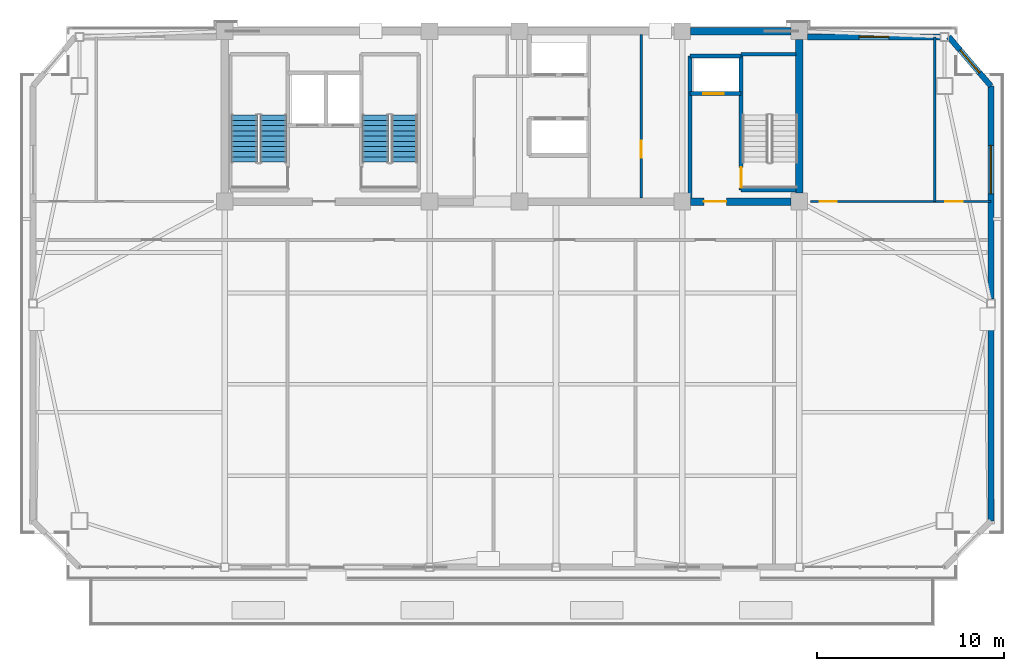
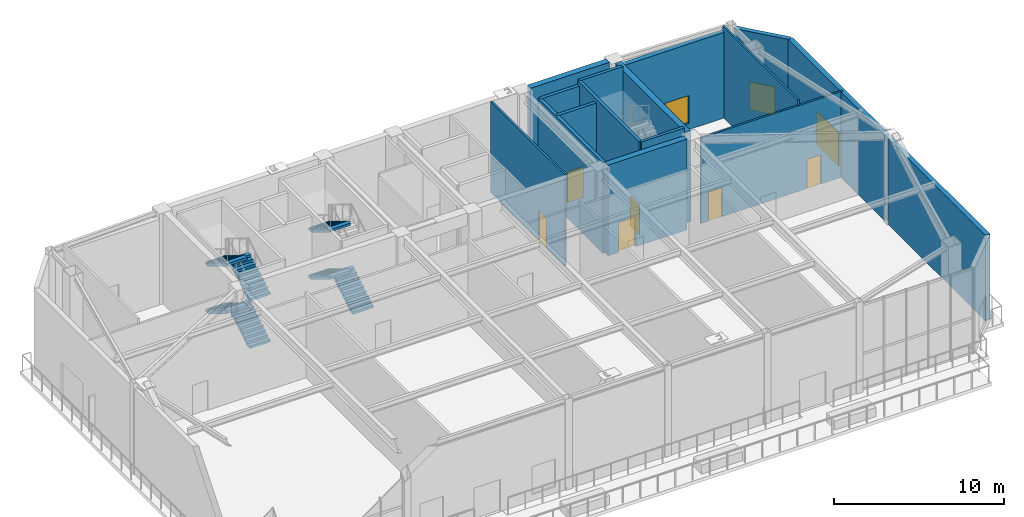
# One storey, part 10 of 15: 16 walls, 7 stair flights, 6 doors, 3 windows, 9 openings, 2 elements without a shape of their own.
"""IFC4 building model written with IfcOpenShell, lengths in metres."""

from ifc_helpers import new_model, si_unit, direction, frame, frame_2d, origin, place, context, subcontext, project, spatial, polyline, rectangle, outline, extrude, source, transform, mapped, material, layer, layer_set, type_object, element, fill, aggregate, save


model = new_model("IFC4")

# Units and contexts
model_context = context("Model", 3, precision=1e-05, world=origin(), true_north=direction((0.0, 1.0)))
body_context = subcontext(model_context, "Body", "Model", "MODEL_VIEW")
ifc_project = project(units=[si_unit("LENGTHUNIT", "METRE"), si_unit("AREAUNIT", "SQUARE_METRE"), si_unit("VOLUMEUNIT", "CUBIC_METRE"), si_unit("PLANEANGLEUNIT", "RADIAN"), si_unit("MASSUNIT", "GRAM", prefix="KILO")], contexts=[model_context])

# Site, building, storey
site_placement = place(None, origin())
site = spatial("IfcSite", under=ifc_project, at=site_placement, CompositionType="ELEMENT")
building_placement = place(site_placement, origin())
building = spatial("IfcBuilding", under=site, at=building_placement, Name="Giltprow Tower", CompositionType="ELEMENT")
storey_placement = place(building_placement, frame((0.0, 0.0, 279.10009765625)))
storey = spatial("IfcBuildingStorey", under=building, at=storey_placement, Name="L72", CompositionType="ELEMENT", Elevation=279.10009765625)

# Wall, opening, window
ifc_material_1 = material(Name="Precast concrete C40", Category="concrete")
ifc_layer_1 = layer(ifc_material_1, 0.300048828125, Name="Precast concrete C40")
ifc_layer_set_1 = layer_set([ifc_layer_1], Name="Precast concrete C40")
wall_type_1 = type_object("IfcWallType", Name="EW-NOTCH-CHAMFER-300", PredefinedType="SOLIDWALL", material=ifc_layer_set_1)
wall_1_placement = place(storey_placement, frame((60.791015625, 43.6220703125, 0.0), z_axis=(0.0, 0.0, 1.0), x_axis=(-0.650698416405, 0.759336269968, 0.0)))
wall_1 = element("IfcWall", 1, at=wall_1_placement, inside=storey, type_object=wall_type_1, Name="L72 Corner Notch Wall NE", PredefinedType="SOLIDWALL", context=body_context, shape_type="SweptSolid", body=[
    extrude(rectangle(XDim=3.4609375, YDim=0.300048828125, at=frame_2d((1.73046875, 0.0))), origin(), (0.0, 0.0, 1.0), 6.14990234375),
])
opening_1_placement = place(wall_1_placement, frame((0.929931640625, 0.0, 0.449951171875)))
opening_1 = element("IfcOpeningElement", 2, at=opening_1_placement, cuts=wall_1, Name="Opening WN17", PredefinedType="OPENING", context=body_context, shape_type="SweptSolid", body=[
    extrude(rectangle(XDim=1.60009765625, YDim=2.0, at=frame_2d((0.800048828125, 1.0))), frame((0.0, 0.159912109375, 0.0), z_axis=(0.0, -1.0, 0.0), x_axis=(1.0, 0.0, 0.0)), (0.0, 0.0, 1.0), 0.320068359375),
])
ifc_material_2 = material(Name="Insulated glass", Category="glass")
window_type_1 = type_object("IfcWindowType", Name="WN-COR-1600x2000", PartitioningType="SINGLE_PANEL", PredefinedType="WINDOW", material=ifc_material_2)
shared_shape_1 = source(origin(), body_context, "Body", "SweptSolid", [
    extrude(rectangle(XDim=1.60009765625, YDim=2.0, at=frame_2d((0.800048828125, 1.0))), frame((0.0, 0.030029296875, 0.0), z_axis=(0.0, -1.0, 0.0), x_axis=(1.0, 0.0, 0.0)), (0.0, 0.0, 1.0), 0.06005859375),
])
window_1_placement = place(opening_1_placement, origin())
window_1 = element("IfcWindow", 3, at=window_1_placement, inside=storey, type_object=window_type_1, Name="L72 Corner Notch Window NE", OverallHeight=2.0, OverallWidth=1.60009765625, PartitioningType="SINGLE_PANEL", PredefinedType="WINDOW", context=body_context, shape_type="MappedRepresentation", body=[
    mapped(shared_shape_1, transform((0.0, 0.0, 0.0), x_axis=(1.0, 0.0, 0.0), y_axis=(0.0, 1.0, 0.0), z_axis=(0.0, 0.0, 1.0), scale=1.0)),
])
fill(opening_1, window_1)

# Wall
ifc_layer_2 = layer(ifc_material_1, 0.320068359375, Name="Precast concrete C40")
ifc_layer_set_2 = layer_set([ifc_layer_2], Name="Precast concrete C40")
wall_type_2 = type_object("IfcWallType", Name="EW-TOW-STONE-320", PredefinedType="SOLIDWALL", material=ifc_layer_set_2)
wall_2_placement = place(storey_placement, frame((60.791015625, 20.385009765625, 0.0), z_axis=(0.0, 0.0, 1.0), x_axis=(0.0, 1.0, 0.0)))
element("IfcWall", 4, at=wall_2_placement, inside=storey, type_object=wall_type_2, Name="L72 E Wing Masonry Wall 1", PredefinedType="SOLIDWALL", context=body_context, shape_type="SweptSolid", body=[
    extrude(rectangle(XDim=11.39404296875, YDim=0.320068359375, at=frame_2d((5.697021484375, 0.0))), origin(), (0.0, 0.0, 1.0), 6.14990234375),
])

# Wall, opening, window
wall_3_placement = place(storey_placement, frame((60.791015625, 32.22900390625, 0.0), z_axis=(0.0, 0.0, 1.0), x_axis=(0.0, 1.0, 0.0)))
wall_3 = element("IfcWall", 5, at=wall_3_placement, inside=storey, type_object=wall_type_2, Name="L72 E Wing Masonry Wall 2", PredefinedType="SOLIDWALL", context=body_context, shape_type="SweptSolid", body=[
    extrude(rectangle(XDim=11.39306640625, YDim=0.320068359375, at=frame_2d((5.696533203125, 0.0))), origin(), (0.0, 0.0, 1.0), 6.14990234375),
])
opening_2_placement = place(wall_3_placement, frame((5.6259765625, 0.0, 0.449951171875)))
opening_2 = element("IfcOpeningElement", 6, at=opening_2_placement, cuts=wall_3, Name="Opening WN19", PredefinedType="OPENING", context=body_context, shape_type="SweptSolid", body=[
    extrude(rectangle(XDim=2.60009765625, YDim=2.39990234375, at=frame_2d((1.300048828125, 1.199951171875))), frame((0.0, 0.169921875, 0.0), z_axis=(0.0, -1.0, 0.0), x_axis=(1.0, 0.0, 0.0)), (0.0, 0.0, 1.0), 0.340087890625),
])
window_type_2 = type_object("IfcWindowType", Name="WN-OBS-2600x2400", PartitioningType="DOUBLE_PANEL_VERTICAL", PredefinedType="WINDOW", material=ifc_material_2)
shared_shape_2 = source(origin(), body_context, "Body", "SweptSolid", [
    extrude(rectangle(XDim=2.60009765625, YDim=2.39990234375, at=frame_2d((1.300048828125, 1.199951171875))), frame((0.0, 0.030029296875, 0.0), z_axis=(0.0, -1.0, 0.0), x_axis=(1.0, 0.0, 0.0)), (0.0, 0.0, 1.0), 0.06005859375),
])
window_2_placement = place(opening_2_placement, origin())
window_2 = element("IfcWindow", 7, at=window_2_placement, inside=storey, type_object=window_type_2, Name="L72 E Wing Window 2-1", OverallHeight=2.39990234375, OverallWidth=2.60009765625, PartitioningType="SINGLE_PANEL", PredefinedType="WINDOW", context=body_context, shape_type="MappedRepresentation", body=[
    mapped(shared_shape_2, transform((0.0, 0.0, 0.0), x_axis=(1.0, 0.0, 0.0), y_axis=(0.0, 1.0, 0.0), z_axis=(0.0, 0.0, 1.0), scale=1.0)),
])
fill(opening_2, window_2)

wall_4_placement = place(storey_placement, frame((51.0, 46.25, 0.0), z_axis=(0.0, 0.0, 1.0), x_axis=(1.0, 0.0, 0.0)))
wall_4 = element("IfcWall", 8, at=wall_4_placement, inside=storey, type_object=wall_type_2, Name="L72 North-East Wing Wall", PredefinedType="SOLIDWALL", context=body_context, shape_type="SweptSolid", body=[
    extrude(rectangle(XDim=7.089111328125, YDim=0.320068359375, at=frame_2d((3.54443359375, 0.0))), origin(), (0.0, 0.0, 1.0), 6.14990234375),
])
opening_3_placement = place(wall_4_placement, frame((2.743896484375, 0.0, 0.449951171875)))
opening_3 = element("IfcOpeningElement", 9, at=opening_3_placement, cuts=wall_4, Name="Opening WN17", PredefinedType="OPENING", context=body_context, shape_type="SweptSolid", body=[
    extrude(rectangle(XDim=1.60009765625, YDim=2.0, at=frame_2d((0.800048828125, 1.0))), frame((0.0, 0.169921875, 0.0), z_axis=(0.0, -1.0, 0.0), x_axis=(1.0, 0.0, 0.0)), (0.0, 0.0, 1.0), 0.340087890625),
])
window_3_placement = place(opening_3_placement, origin())
window_3 = element("IfcWindow", 10, at=window_3_placement, inside=storey, type_object=window_type_1, Name="L72 North-East Window", OverallHeight=2.0, OverallWidth=1.60009765625, PartitioningType="SINGLE_PANEL", PredefinedType="WINDOW", context=body_context, shape_type="MappedRepresentation", body=[
    mapped(shared_shape_1, transform((0.0, 0.0, 0.0), x_axis=(1.0, 0.0, 0.0), y_axis=(0.0, 1.0, 0.0), z_axis=(0.0, 0.0, 1.0), scale=1.0)),
])
fill(opening_3, window_3)

# Wall, opening, door
ifc_material_3 = material(Name="Concrete C40", Category="concrete")
ifc_layer_3 = layer(ifc_material_3, 0.219970703125, Name="Concrete C40")
ifc_layer_set_3 = layer_set([ifc_layer_3], Name="Concrete C40")
wall_type_3 = type_object("IfcWallType", Name="IW-SHAFT-220", PredefinedType="SOLIDWALL", material=ifc_layer_set_3)
wall_5_placement = place(storey_placement, frame((44.719970703125, 43.219970703125, 0.0), z_axis=(0.0, 0.0, 1.0), x_axis=(1.0, 0.0, 0.0)))
wall_5 = element("IfcWall", 11, at=wall_5_placement, inside=storey, type_object=wall_type_3, Name="L72 FFL2 Front Shaft Wall", PredefinedType="SOLIDWALL", context=body_context, shape_type="SweptSolid", body=[
    extrude(rectangle(XDim=2.719970703125, YDim=0.219970703125, at=frame_2d((1.35986328125, 0.0))), origin(), (0.0, 0.0, 1.0), 6.52001953125),
])
opening_4_placement = place(wall_5_placement, frame((0.699951171875, 0.0, 0.0)))
opening_4 = element("IfcOpeningElement", 12, at=opening_4_placement, cuts=wall_5, Name="Opening LD-11", PredefinedType="OPENING", context=body_context, shape_type="SweptSolid", body=[
    extrude(rectangle(XDim=1.10009765625, YDim=2.199951171875, at=frame_2d((0.550048828125, 1.10009765625))), frame((0.0, 0.119873046875, 0.0), z_axis=(0.0, -1.0, 0.0), x_axis=(1.0, 0.0, 0.0)), (0.0, 0.0, 1.0), 0.239990234375),
])
ifc_material_4 = material(Name="Stainless steel", Category="steel")
door_type_1 = type_object("IfcDoorType", Name="DR-LIFT-LD1100", OperationType="SLIDING_TO_LEFT", PredefinedType="DOOR", material=ifc_material_4)
shared_shape_3 = source(origin(), body_context, "Body", "SweptSolid", [
    extrude(rectangle(XDim=1.10009765625, YDim=2.199951171875, at=frame_2d((0.550048828125, 1.10009765625))), frame((0.0, 0.02490234375, 0.0), z_axis=(0.0, -1.0, 0.0), x_axis=(1.0, 0.0, 0.0)), (0.0, 0.0, 1.0), 0.050048828125),
])
door_1_placement = place(opening_4_placement, origin())
door_1 = element("IfcDoor", 13, at=door_1_placement, inside=storey, type_object=door_type_1, Name="L72 FFL2 Landing Door", OperationType="SLIDING_TO_LEFT", OverallHeight=2.199951171875, OverallWidth=1.10009765625, PredefinedType="DOOR", context=body_context, shape_type="MappedRepresentation", body=[
    mapped(shared_shape_3, transform((0.0, 0.0, 0.0), x_axis=(1.0, 0.0, 0.0), y_axis=(0.0, 1.0, 0.0), z_axis=(0.0, 0.0, 1.0), scale=1.0)),
])
fill(opening_4, door_1)

# Walls
wall_6_placement = place(storey_placement, frame((44.719970703125, 45.219970703125, 0.0), z_axis=(0.0, 0.0, 1.0), x_axis=(1.0, 0.0, 0.0)))
element("IfcWall", 14, at=wall_6_placement, inside=storey, type_object=wall_type_3, Name="L72 FFL2 Back Shaft Wall", PredefinedType="SOLIDWALL", context=body_context, shape_type="SweptSolid", body=[
    extrude(rectangle(XDim=2.719970703125, YDim=0.219970703125, at=frame_2d((1.35986328125, 0.0))), origin(), (0.0, 0.0, 1.0), 6.52001953125),
])
wall_7_placement = place(storey_placement, frame((44.719970703125, 37.6298828125, 0.0), z_axis=(0.0, 0.0, 1.0), x_axis=(0.0, 1.0, 0.0)))
element("IfcWall", 15, at=wall_7_placement, inside=storey, type_object=wall_type_3, Name="L72 East Firefighting Lobby West Wall", PredefinedType="SOLIDWALL", context=body_context, shape_type="SweptSolid", body=[
    extrude(rectangle(XDim=7.590087890625, YDim=0.219970703125, at=frame_2d((3.794921875, 0.0))), origin(), (0.0, 0.0, 1.0), 6.52001953125),
])

# Wall, opening, door
ifc_layer_4 = layer(ifc_material_3, 0.199951171875, Name="Concrete C40")
ifc_layer_set_4 = layer_set([ifc_layer_4], Name="Concrete C40")
wall_type_4 = type_object("IfcWallType", Name="IW-STAIR-200", PredefinedType="SOLIDWALL", material=ifc_layer_set_4)
wall_8_placement = place(storey_placement, frame((47.43994140625, 38.070068359375, 0.0), z_axis=(0.0, 0.0, 1.0), x_axis=(0.0, 1.0, 0.0)))
wall_8 = element("IfcWall", 16, at=wall_8_placement, inside=storey, type_object=wall_type_4, Name="L72 Stair ST-3 West Bearing Wall", PredefinedType="SOLIDWALL", context=body_context, shape_type="SweptSolid", body=[
    extrude(rectangle(XDim=7.25, YDim=0.199951171875, at=frame_2d((3.625, 0.0))), origin(), (0.0, 0.0, 1.0), 6.7998046875),
])
opening_5_placement = place(wall_8_placement, frame((0.110107421875, 0.0, 0.0)))
opening_5 = element("IfcOpeningElement", 17, at=opening_5_placement, cuts=wall_8, Name="Opening ID33", PredefinedType="OPENING", context=body_context, shape_type="SweptSolid", body=[
    extrude(rectangle(XDim=1.10009765625, YDim=2.14990234375, at=frame_2d((0.550048828125, 1.074951171875))), frame((0.0, 0.10986328125, 0.0), z_axis=(0.0, -1.0, 0.0), x_axis=(1.0, 0.0, 0.0)), (0.0, 0.0, 1.0), 0.219970703125),
])
ifc_material_5 = material(Name="Steel fire leaf", Category="steel")
door_type_2 = type_object("IfcDoorType", Name="DR-STAIR-1100", OperationType="SINGLE_SWING_LEFT", PredefinedType="DOOR", material=ifc_material_5)
shared_shape_4 = source(origin(), body_context, "Body", "SweptSolid", [
    extrude(rectangle(XDim=1.10009765625, YDim=2.14990234375, at=frame_2d((0.550048828125, 1.074951171875))), frame((0.0, 0.02490234375, 0.0), z_axis=(0.0, -1.0, 0.0), x_axis=(1.0, 0.0, 0.0)), (0.0, 0.0, 1.0), 0.050048828125),
])
door_2_placement = place(opening_5_placement, origin())
door_2 = element("IfcDoor", 18, at=door_2_placement, inside=storey, type_object=door_type_2, Name="L72 Stair ST-3 Fire Door", OperationType="SINGLE_SWING_RIGHT", OverallHeight=2.14990234375, OverallWidth=1.10009765625, PredefinedType="DOOR", context=body_context, shape_type="MappedRepresentation", body=[
    mapped(shared_shape_4, transform((0.0, 0.0, 0.0), x_axis=(1.0, 0.0, 0.0), y_axis=(0.0, 1.0, 0.0), z_axis=(0.0, 0.0, 1.0), scale=1.0)),
])
fill(opening_5, door_2)

# Walls
for number, where, z_axis, x_axis, name in (
    (19, (47.43994140625, 45.320068359375, 0.0), (0.0, 0.0, 1.0), (1.0, 0.0, 0.0), "L72 Stair ST-3 North Bearing Wall"),
    (20, (47.43994140625, 38.070068359375, 0.0), (0.0, 0.0, 1.0), (1.0, 0.0, 0.0), "L72 Stair ST-3 South Bearing Wall"),
):
    element("IfcWall", number, at=place(storey_placement, frame(where, z_axis=z_axis, x_axis=x_axis)), inside=storey, type_object=wall_type_4, Name=name, PredefinedType="SOLIDWALL", context=body_context, shape_type="SweptSolid", body=[
        extrude(rectangle(XDim=2.93017578125, YDim=0.199951171875, at=frame_2d((1.465087890625, 0.0))), origin(), (0.0, 0.0, 1.0), 6.7998046875),
    ])

# Wall, opening, door
ifc_material_6 = material(Name="Concrete C30", Category="concrete")
ifc_layer_5 = layer(ifc_material_6, 0.1298828125, Name="Concrete C30")
ifc_layer_set_5 = layer_set([ifc_layer_5], Name="Concrete C30")
wall_type_5 = type_object("IfcWallType", Name="IW-WET-130", PredefinedType="PARTITIONING", material=ifc_layer_set_5)
wall_9_placement = place(storey_placement, frame((42.10009765625, 37.6298828125, 0.0), z_axis=(0.0, 0.0, 1.0), x_axis=(0.0, 1.0, 0.0)))
wall_9 = element("IfcWall", 21, at=wall_9_placement, inside=storey, type_object=wall_type_5, Name="L72 East Core Vertical Divider", PredefinedType="PARTITIONING", context=body_context, shape_type="SweptSolid", body=[
    extrude(rectangle(XDim=8.740234375, YDim=0.1298828125, at=frame_2d((4.3701171875, 0.0))), origin(), (0.0, 0.0, 1.0), 6.52001953125),
])
opening_6_placement = place(wall_9_placement, frame((2.169921875, 0.0, 0.0)))
opening_6 = element("IfcOpeningElement", 22, at=opening_6_placement, cuts=wall_9, Name="Opening ID35", PredefinedType="OPENING", context=body_context, shape_type="SweptSolid", body=[
    extrude(rectangle(XDim=0.89990234375, YDim=2.10009765625, at=frame_2d((0.449951171875, 1.050048828125))), frame((0.0, 0.074951171875, 0.0), z_axis=(0.0, -1.0, 0.0), x_axis=(1.0, 0.0, 0.0)), (0.0, 0.0, 1.0), 0.14990234375),
])
door_type_3 = type_object("IfcDoorType", Name="DR-SHAFT-900", OperationType="SINGLE_SWING_LEFT", PredefinedType="DOOR", material=ifc_material_5)
shared_shape_5 = source(origin(), body_context, "Body", "SweptSolid", [
    extrude(rectangle(XDim=0.89990234375, YDim=2.10009765625, at=frame_2d((0.449951171875, 1.050048828125))), frame((0.0, 0.02490234375, 0.0), z_axis=(0.0, -1.0, 0.0), x_axis=(1.0, 0.0, 0.0)), (0.0, 0.0, 1.0), 0.050048828125),
])
door_3_placement = place(opening_6_placement, origin())
door_3 = element("IfcDoor", 23, at=door_3_placement, inside=storey, type_object=door_type_3, Name="L72 Core Trunk Room Inner Door", OperationType="SINGLE_SWING_LEFT", OverallHeight=2.10009765625, OverallWidth=0.89990234375, PredefinedType="DOOR", context=body_context, shape_type="MappedRepresentation", body=[
    mapped(shared_shape_5, transform((0.0, 0.0, 0.0), x_axis=(1.0, 0.0, 0.0), y_axis=(0.0, 1.0, 0.0), z_axis=(0.0, 0.0, 1.0), scale=1.0)),
])
fill(opening_6, door_3)

# Wall, openings, doors
wall_10_placement = place(storey_placement, frame((51.14990234375, 37.449951171875, 0.0), z_axis=(0.0, 0.0, 1.0), x_axis=(1.0, 0.0, 0.0)))
wall_10 = element("IfcWall", 24, at=wall_10_placement, inside=storey, type_object=wall_type_5, Name="L72 NE Wing South Wall", PredefinedType="PARTITIONING", context=body_context, shape_type="SweptSolid", body=[
    extrude(rectangle(XDim=9.64111328125, YDim=0.1298828125, at=frame_2d((4.820556640625, 0.0))), origin(), (0.0, 0.0, 1.0), 6.15478515625),
])
opening_7_placement = place(wall_10_placement, frame((0.5, 0.0, 0.0)))
opening_7 = element("IfcOpeningElement", 25, at=opening_7_placement, cuts=wall_10, Name="Opening ID15", PredefinedType="OPENING", context=body_context, shape_type="SweptSolid", body=[
    extrude(rectangle(XDim=0.89990234375, YDim=2.10009765625, at=frame_2d((0.449951171875, 1.050048828125))), frame((0.0, 0.074951171875, 0.0), z_axis=(0.0, -1.0, 0.0), x_axis=(1.0, 0.0, 0.0)), (0.0, 0.0, 1.0), 0.14990234375),
])
opening_8_placement = place(wall_10_placement, frame((7.18896484375, 0.0, 0.0)))
opening_8 = element("IfcOpeningElement", 26, at=opening_8_placement, cuts=wall_10, Name="Opening ID11", PredefinedType="OPENING", context=body_context, shape_type="SweptSolid", body=[
    extrude(rectangle(XDim=0.949951171875, YDim=2.10009765625, at=frame_2d((0.47509765625, 1.050048828125))), frame((0.0, 0.074951171875, 0.0), z_axis=(0.0, -1.0, 0.0), x_axis=(1.0, 0.0, 0.0)), (0.0, 0.0, 1.0), 0.14990234375),
])
ifc_material_7 = material(Name="Engineered timber", Category="wood")
door_type_4 = type_object("IfcDoorType", Name="DR-WC-900", OperationType="SINGLE_SWING_LEFT", PredefinedType="DOOR", material=ifc_material_7)
door_4_placement = place(opening_7_placement, origin())
door_4 = element("IfcDoor", 27, at=door_4_placement, inside=storey, type_object=door_type_4, Name="L72 East Wing Washroom Door", OperationType="SINGLE_SWING_RIGHT", OverallHeight=2.10009765625, OverallWidth=0.89990234375, PredefinedType="DOOR", context=body_context, shape_type="MappedRepresentation", body=[
    mapped(shared_shape_5, transform((0.0, 0.0, 0.0), x_axis=(1.0, 0.0, 0.0), y_axis=(0.0, 1.0, 0.0), z_axis=(0.0, 0.0, 1.0), scale=1.0)),
])
fill(opening_7, door_4)
door_type_5 = type_object("IfcDoorType", Name="DR-ROOM-950", OperationType="SINGLE_SWING_RIGHT", PredefinedType="DOOR", material=ifc_material_7)
shared_shape_6 = source(origin(), body_context, "Body", "SweptSolid", [
    extrude(rectangle(XDim=0.949951171875, YDim=2.10009765625, at=frame_2d((0.47509765625, 1.050048828125))), frame((0.0, 0.02490234375, 0.0), z_axis=(0.0, -1.0, 0.0), x_axis=(1.0, 0.0, 0.0)), (0.0, 0.0, 1.0), 0.050048828125),
])
door_5_placement = place(opening_8_placement, origin())
door_5 = element("IfcDoor", 28, at=door_5_placement, inside=storey, type_object=door_type_5, Name="L72 Conservatory Lounge Study Door", OperationType="SINGLE_SWING_RIGHT", OverallHeight=2.10009765625, OverallWidth=0.949951171875, PredefinedType="DOOR", context=body_context, shape_type="MappedRepresentation", body=[
    mapped(shared_shape_6, transform((0.0, 0.0, 0.0), x_axis=(1.0, 0.0, 0.0), y_axis=(0.0, 1.0, 0.0), z_axis=(0.0, 0.0, 1.0), scale=1.0)),
])
fill(opening_8, door_5)

# Walls
wall_11_placement = place(storey_placement, frame((57.7890625, 37.449951171875, 0.0), z_axis=(0.0, 0.0, 1.0), x_axis=(0.0, 1.0, 0.0)))
element("IfcWall", 29, at=wall_11_placement, inside=storey, type_object=wall_type_5, Name="L72 NE Wing Divider", PredefinedType="PARTITIONING", context=body_context, shape_type="SweptSolid", body=[
    extrude(rectangle(XDim=8.800048828125, YDim=0.1298828125, at=frame_2d((4.39990234375, 0.0))), origin(), (0.0, 0.0, 1.0), 6.52001953125),
])
ifc_material_8 = material(Name="Concrete C45", Category="concrete")
ifc_layer_6 = layer(ifc_material_8, 0.39990234375, Name="Concrete C45")
ifc_layer_set_6 = layer_set([ifc_layer_6], Name="Concrete C45")
wall_type_6 = type_object("IfcWallType", Name="SW-EXT-400-C45", PredefinedType="SHEAR", material=ifc_layer_set_6)
wall_12_placement = place(storey_placement, frame((44.75, 46.550048828125, 0.0), z_axis=(0.0, 0.0, 1.0), x_axis=(1.0, 0.0, 0.0)))
element("IfcWall", 30, at=wall_12_placement, inside=storey, type_object=wall_type_6, Name="L72 North Rear Core Shear Wall 4", PredefinedType="SHEAR", context=body_context, shape_type="SweptSolid", body=[
    extrude(rectangle(XDim=5.35009765625, YDim=0.39990234375, at=frame_2d((2.675048828125, 0.0))), origin(), (0.0, 0.0, 1.0), 6.52001953125),
])

# Wall, opening, door
ifc_layer_7 = layer(ifc_material_8, 0.39990234375, Name="Concrete C45")
ifc_layer_set_7 = layer_set([ifc_layer_7], Name="Concrete C45")
wall_type_7 = type_object("IfcWallType", Name="SW-INT-400-C45", PredefinedType="SHEAR", material=ifc_layer_set_7)
wall_13_placement = place(storey_placement, frame((44.75, 37.449951171875, 0.0), z_axis=(0.0, 0.0, 1.0), x_axis=(1.0, 0.0, 0.0)))
wall_13 = element("IfcWall", 31, at=wall_13_placement, inside=storey, type_object=wall_type_7, Name="L72 South Rear Core Shear Wall East", PredefinedType="SHEAR", context=body_context, shape_type="SweptSolid", body=[
    extrude(rectangle(XDim=5.35009765625, YDim=0.39990234375, at=frame_2d((2.675048828125, 0.0))), origin(), (0.0, 0.0, 1.0), 6.52001953125),
])
opening_9_placement = place(wall_13_placement, frame((0.699951171875, 0.0, 0.0)))
opening_9 = element("IfcOpeningElement", 32, at=opening_9_placement, cuts=wall_13, Name="Opening ID19", PredefinedType="OPENING", context=body_context, shape_type="SweptSolid", body=[
    extrude(rectangle(XDim=1.199951171875, YDim=2.14990234375, at=frame_2d((0.60009765625, 1.074951171875))), frame((0.0, 0.2099609375, 0.0), z_axis=(0.0, -1.0, 0.0), x_axis=(1.0, 0.0, 0.0)), (0.0, 0.0, 1.0), 0.419921875),
])
door_type_6 = type_object("IfcDoorType", Name="DR-FFLOBBY-1200", OperationType="SINGLE_SWING_RIGHT", PredefinedType="DOOR", material=ifc_material_5)
shared_shape_7 = source(origin(), body_context, "Body", "SweptSolid", [
    extrude(rectangle(XDim=1.199951171875, YDim=2.14990234375, at=frame_2d((0.60009765625, 1.074951171875))), frame((0.0, 0.02490234375, 0.0), z_axis=(0.0, -1.0, 0.0), x_axis=(1.0, 0.0, 0.0)), (0.0, 0.0, 1.0), 0.050048828125),
])
door_6_placement = place(opening_9_placement, origin())
door_6 = element("IfcDoor", 33, at=door_6_placement, inside=storey, type_object=door_type_6, Name="L72 East Firefighting Lobby Entry Door", OperationType="SINGLE_SWING_RIGHT", OverallHeight=2.14990234375, OverallWidth=1.199951171875, PredefinedType="DOOR", context=body_context, shape_type="MappedRepresentation", body=[
    mapped(shared_shape_7, transform((0.0, 0.0, 0.0), x_axis=(1.0, 0.0, 0.0), y_axis=(0.0, 1.0, 0.0), z_axis=(0.0, 0.0, 1.0), scale=1.0)),
])
fill(opening_9, door_6)

# Wall
wall_14_placement = place(storey_placement, frame((50.550048828125, 37.89990234375, 0.0), z_axis=(0.0, 0.0, 1.0), x_axis=(0.0, 1.0, 0.0)))
element("IfcWall", 34, at=wall_14_placement, inside=storey, type_object=wall_type_7, Name="L72 E Rear Core Shear Wall", PredefinedType="SHEAR", context=body_context, shape_type="SweptSolid", body=[
    extrude(rectangle(XDim=8.2001953125, YDim=0.39990234375, at=frame_2d((4.10009765625, 0.0))), origin(), (0.0, 0.0, 1.0), 6.52001953125),
])

# Stair, stair flights
stair_type_1 = type_object("IfcStairType", Name="STR-ST-1", PredefinedType="HALF_TURN_STAIR", material=ifc_material_3)
stair_1_placement = place(storey_placement, origin())
stair_1 = element("IfcStair", 35, at=stair_1_placement, inside=storey, type_object=stair_type_1, Name="L72 Core Exit Stair ST-1", PredefinedType="HALF_TURN_STAIR")
stair_flight_type_1 = type_object("IfcStairFlightType", Name="SFL-ST-1", PredefinedType="STRAIGHT", material=ifc_material_3)
stair_flight_1_placement = place(storey_placement, frame((22.4599609375, 39.550048828125, 0.0), z_axis=(0.0, 0.0, 1.0), x_axis=(0.0, 1.0, 0.0)))
stair_flight_1 = element("IfcStairFlight", 36, at=stair_flight_1_placement, type_object=stair_flight_type_1, Name="ST-1 flight 1", NumberOfRisers=10, NumberOfTreads=9, PredefinedType="STRAIGHT", RiserHeight=0.17, TreadLength=0.28, context=body_context, shape_type="SweptSolid", body=[
    extrude(outline(polyline([(0.0, 0.0), (0.0, 0.169921875), (0.280029296875, 0.169921875), (0.280029296875, 0.340087890625), (0.56005859375, 0.340087890625), (0.56005859375, 0.510009765625), (0.840087890625, 0.510009765625), (0.840087890625, 0.679931640625), (1.1201171875, 0.679931640625), (1.1201171875, 0.85009765625), (1.39990234375, 0.85009765625), (1.39990234375, 1.02001953125), (1.679931640625, 1.02001953125), (1.679931640625, 1.18994140625), (1.9599609375, 1.18994140625), (1.9599609375, 1.360107421875), (2.239990234375, 1.360107421875), (2.239990234375, 1.530029296875), (2.52001953125, 1.530029296875), (2.52001953125, 1.699951171875), (2.52001953125, 1.354736328125), (0.288818359375, 0.0), (0.0, 0.0)])), frame((0.0, 0.699951171875, 0.0), z_axis=(0.0, -1.0, 0.0), x_axis=(1.0, 0.0, 0.0)), (0.0, 0.0, 1.0), 1.39990234375),
])
stair_flight_2_placement = place(storey_placement, frame((20.89990234375, 42.070068359375, 1.699951171875), z_axis=(0.0, 0.0, 1.0), x_axis=(0.0, -1.0, 0.0)))
stair_flight_2 = element("IfcStairFlight", 37, at=stair_flight_2_placement, type_object=stair_flight_type_1, Name="ST-1 flight 2", NumberOfRisers=10, NumberOfTreads=9, PredefinedType="STRAIGHT", RiserHeight=0.17, TreadLength=0.28, context=body_context, shape_type="SweptSolid", body=[
    extrude(outline(polyline([(0.0, 0.0), (0.0, 0.169921875), (0.280029296875, 0.169921875), (0.280029296875, 0.340087890625), (0.56005859375, 0.340087890625), (0.56005859375, 0.510009765625), (0.840087890625, 0.510009765625), (0.840087890625, 0.679931640625), (1.1201171875, 0.679931640625), (1.1201171875, 0.85009765625), (1.39990234375, 0.85009765625), (1.39990234375, 1.02001953125), (1.679931640625, 1.02001953125), (1.679931640625, 1.18994140625), (1.9599609375, 1.18994140625), (1.9599609375, 1.360107421875), (2.239990234375, 1.360107421875), (2.239990234375, 1.530029296875), (2.52001953125, 1.530029296875), (2.52001953125, 1.699951171875), (2.52001953125, 1.354736328125), (0.288818359375, 0.0), (0.0, 0.0)])), frame((0.0, 0.699951171875, 0.0), z_axis=(0.0, -1.0, 0.0), x_axis=(1.0, 0.0, 0.0)), (0.0, 0.0, 1.0), 1.39990234375),
])
stair_flight_3_placement = place(storey_placement, frame((22.4599609375, 39.550048828125, 3.39990234375), z_axis=(0.0, 0.0, 1.0), x_axis=(0.0, 1.0, 0.0)))
stair_flight_3 = element("IfcStairFlight", 38, at=stair_flight_3_placement, type_object=stair_flight_type_1, Name="ST-1 flight 3", NumberOfRisers=10, NumberOfTreads=9, PredefinedType="STRAIGHT", RiserHeight=0.17, TreadLength=0.28, context=body_context, shape_type="SweptSolid", body=[
    extrude(outline(polyline([(0.0, 0.0), (0.0, 0.169921875), (0.280029296875, 0.169921875), (0.280029296875, 0.340087890625), (0.56005859375, 0.340087890625), (0.56005859375, 0.510009765625), (0.840087890625, 0.510009765625), (0.840087890625, 0.679931640625), (1.1201171875, 0.679931640625), (1.1201171875, 0.85009765625), (1.39990234375, 0.85009765625), (1.39990234375, 1.02001953125), (1.679931640625, 1.02001953125), (1.679931640625, 1.18994140625), (1.9599609375, 1.18994140625), (1.9599609375, 1.360107421875), (2.239990234375, 1.360107421875), (2.239990234375, 1.530029296875), (2.52001953125, 1.530029296875), (2.52001953125, 1.699951171875), (2.52001953125, 1.354736328125), (0.288818359375, 0.0), (0.0, 0.0)])), frame((0.0, 0.699951171875, 0.0), z_axis=(0.0, -1.0, 0.0), x_axis=(1.0, 0.0, 0.0)), (0.0, 0.0, 1.0), 1.39990234375),
])
stair_flight_4_placement = place(storey_placement, frame((20.89990234375, 42.070068359375, 5.099853515625), z_axis=(0.0, 0.0, 1.0), x_axis=(0.0, -1.0, 0.0)))
stair_flight_4 = element("IfcStairFlight", 39, at=stair_flight_4_placement, type_object=stair_flight_type_1, Name="ST-1 flight 4", NumberOfRisers=10, NumberOfTreads=9, PredefinedType="STRAIGHT", RiserHeight=0.17, TreadLength=0.28, context=body_context, shape_type="SweptSolid", body=[
    extrude(outline(polyline([(0.0, 0.0), (0.0, 0.169921875), (0.280029296875, 0.169921875), (0.280029296875, 0.340087890625), (0.56005859375, 0.340087890625), (0.56005859375, 0.510009765625), (0.840087890625, 0.510009765625), (0.840087890625, 0.679931640625), (1.1201171875, 0.679931640625), (1.1201171875, 0.85009765625), (1.39990234375, 0.85009765625), (1.39990234375, 1.02001953125), (1.679931640625, 1.02001953125), (1.679931640625, 1.18994140625), (1.9599609375, 1.18994140625), (1.9599609375, 1.360107421875), (2.239990234375, 1.360107421875), (2.239990234375, 1.530029296875), (2.52001953125, 1.530029296875), (2.52001953125, 1.699951171875), (2.52001953125, 1.354736328125), (0.288818359375, 0.0), (0.0, 0.0)])), frame((0.0, 0.699951171875, 0.0), z_axis=(0.0, -1.0, 0.0), x_axis=(1.0, 0.0, 0.0)), (0.0, 0.0, 1.0), 1.39990234375),
])
aggregate(stair_1, [stair_flight_1, stair_flight_2, stair_flight_3, stair_flight_4])

stair_type_2 = type_object("IfcStairType", Name="STR-ST-2", PredefinedType="HALF_TURN_STAIR", material=ifc_material_3)
stair_2_placement = place(storey_placement, origin())
stair_2 = element("IfcStair", 40, at=stair_2_placement, inside=storey, type_object=stair_type_2, Name="L72 Core Exit Stair ST-2", PredefinedType="HALF_TURN_STAIR")
stair_flight_type_2 = type_object("IfcStairFlightType", Name="SFL-ST-2", PredefinedType="STRAIGHT", material=ifc_material_3)
stair_flight_5_placement = place(storey_placement, frame((29.4599609375, 39.550048828125, 0.0), z_axis=(0.0, 0.0, 1.0), x_axis=(0.0, 1.0, 0.0)))
stair_flight_5 = element("IfcStairFlight", 41, at=stair_flight_5_placement, type_object=stair_flight_type_2, Name="ST-2 flight 1", NumberOfRisers=10, NumberOfTreads=9, PredefinedType="STRAIGHT", RiserHeight=0.17, TreadLength=0.28, context=body_context, shape_type="SweptSolid", body=[
    extrude(outline(polyline([(0.0, 0.0), (0.0, 0.169921875), (0.280029296875, 0.169921875), (0.280029296875, 0.340087890625), (0.56005859375, 0.340087890625), (0.56005859375, 0.510009765625), (0.840087890625, 0.510009765625), (0.840087890625, 0.679931640625), (1.1201171875, 0.679931640625), (1.1201171875, 0.85009765625), (1.39990234375, 0.85009765625), (1.39990234375, 1.02001953125), (1.679931640625, 1.02001953125), (1.679931640625, 1.18994140625), (1.9599609375, 1.18994140625), (1.9599609375, 1.360107421875), (2.239990234375, 1.360107421875), (2.239990234375, 1.530029296875), (2.52001953125, 1.530029296875), (2.52001953125, 1.699951171875), (2.52001953125, 1.354736328125), (0.288818359375, 0.0), (0.0, 0.0)])), frame((0.0, 0.699951171875, 0.0), z_axis=(0.0, -1.0, 0.0), x_axis=(1.0, 0.0, 0.0)), (0.0, 0.0, 1.0), 1.39990234375),
])
stair_flight_6_placement = place(storey_placement, frame((27.89990234375, 42.070068359375, 1.699951171875), z_axis=(0.0, 0.0, 1.0), x_axis=(0.0, -1.0, 0.0)))
stair_flight_6 = element("IfcStairFlight", 42, at=stair_flight_6_placement, type_object=stair_flight_type_2, Name="ST-2 flight 2", NumberOfRisers=10, NumberOfTreads=9, PredefinedType="STRAIGHT", RiserHeight=0.17, TreadLength=0.28, context=body_context, shape_type="SweptSolid", body=[
    extrude(outline(polyline([(0.0, 0.0), (0.0, 0.169921875), (0.280029296875, 0.169921875), (0.280029296875, 0.340087890625), (0.56005859375, 0.340087890625), (0.56005859375, 0.510009765625), (0.840087890625, 0.510009765625), (0.840087890625, 0.679931640625), (1.1201171875, 0.679931640625), (1.1201171875, 0.85009765625), (1.39990234375, 0.85009765625), (1.39990234375, 1.02001953125), (1.679931640625, 1.02001953125), (1.679931640625, 1.18994140625), (1.9599609375, 1.18994140625), (1.9599609375, 1.360107421875), (2.239990234375, 1.360107421875), (2.239990234375, 1.530029296875), (2.52001953125, 1.530029296875), (2.52001953125, 1.699951171875), (2.52001953125, 1.354736328125), (0.288818359375, 0.0), (0.0, 0.0)])), frame((0.0, 0.699951171875, 0.0), z_axis=(0.0, -1.0, 0.0), x_axis=(1.0, 0.0, 0.0)), (0.0, 0.0, 1.0), 1.39990234375),
])
stair_flight_7_placement = place(storey_placement, frame((27.89990234375, 42.070068359375, 5.099853515625), z_axis=(0.0, 0.0, 1.0), x_axis=(0.0, -1.0, 0.0)))
stair_flight_7 = element("IfcStairFlight", 43, at=stair_flight_7_placement, type_object=stair_flight_type_2, Name="ST-2 flight 4", NumberOfRisers=10, NumberOfTreads=9, PredefinedType="STRAIGHT", RiserHeight=0.17, TreadLength=0.28, context=body_context, shape_type="SweptSolid", body=[
    extrude(outline(polyline([(0.0, 0.0), (0.0, 0.169921875), (0.280029296875, 0.169921875), (0.280029296875, 0.340087890625), (0.56005859375, 0.340087890625), (0.56005859375, 0.510009765625), (0.840087890625, 0.510009765625), (0.840087890625, 0.679931640625), (1.1201171875, 0.679931640625), (1.1201171875, 0.85009765625), (1.39990234375, 0.85009765625), (1.39990234375, 1.02001953125), (1.679931640625, 1.02001953125), (1.679931640625, 1.18994140625), (1.9599609375, 1.18994140625), (1.9599609375, 1.360107421875), (2.239990234375, 1.360107421875), (2.239990234375, 1.530029296875), (2.52001953125, 1.530029296875), (2.52001953125, 1.699951171875), (2.52001953125, 1.354736328125), (0.288818359375, 0.0), (0.0, 0.0)])), frame((0.0, 0.699951171875, 0.0), z_axis=(0.0, -1.0, 0.0), x_axis=(1.0, 0.0, 0.0)), (0.0, 0.0, 1.0), 1.39990234375),
])
aggregate(stair_2, [stair_flight_5, stair_flight_6, stair_flight_7])

save(model, "model.ifc")
